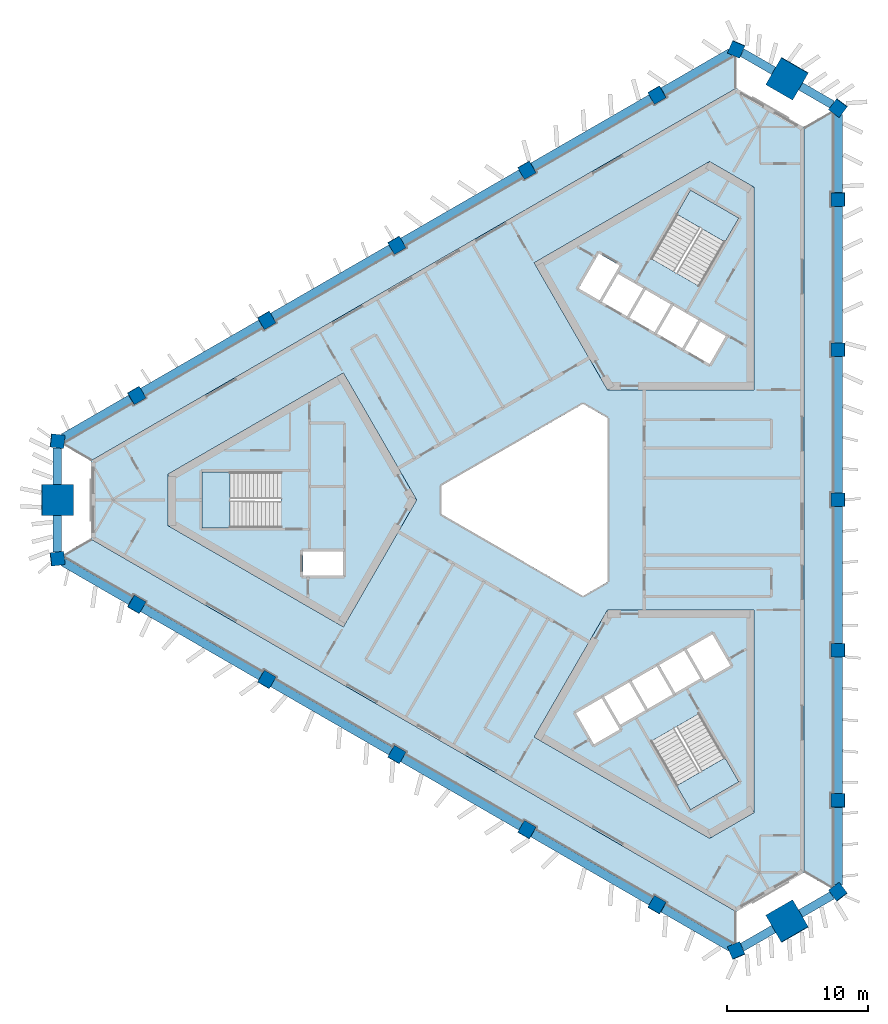
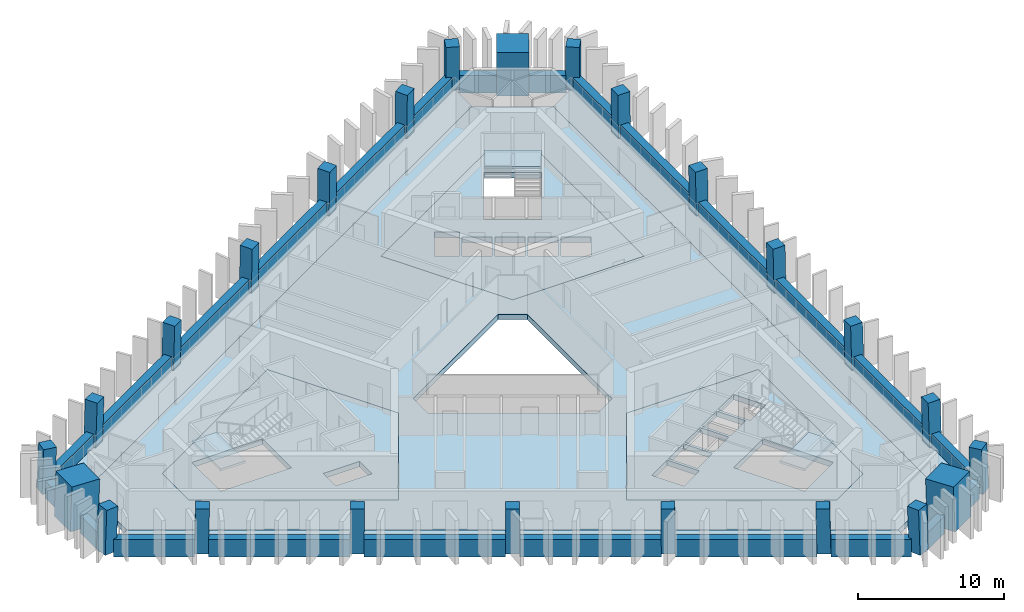
# One storey, part 1 of 9: 24 beams, 24 columns, 10 slabs, 3 elements without a shape of their own.
"""IFC4 building model written with IfcOpenShell, lengths in metres."""

from ifc_helpers import new_model, si_unit, direction, frame, origin, origin_2d, place, context, subcontext, project, spatial, polyline, rectangle, outline, extrude, material, layer, layer_set, material_profile, profile_set, type_object, element, aggregate, save


model = new_model("IFC4")

# Units and contexts
model_context = context("Model", 3, precision=1e-05, world=origin(), true_north=direction((0.0, 1.0)))
body_context = subcontext(model_context, "Body", "Model", "MODEL_VIEW")
ifc_project = project(units=[si_unit("LENGTHUNIT", "METRE"), si_unit("AREAUNIT", "SQUARE_METRE"), si_unit("VOLUMEUNIT", "CUBIC_METRE"), si_unit("PLANEANGLEUNIT", "RADIAN"), si_unit("MASSUNIT", "GRAM", prefix="KILO")], contexts=[model_context])

# Site, building, storey
site_placement = place(None, origin())
site = spatial("IfcSite", under=ifc_project, at=site_placement, CompositionType="ELEMENT")
building_placement = place(site_placement, origin())
building = spatial("IfcBuilding", under=site, at=building_placement, Name="Jabali Bay Hotel Tower and Convention Centre", CompositionType="ELEMENT")
storey_placement = place(building_placement, frame((0.0, 0.0, 189.60009765625)))
storey = spatial("IfcBuildingStorey", under=building, at=storey_placement, Name="L46", CompositionType="ELEMENT", Elevation=189.60009765625)

# Columns
ifc_material_1 = material(Name="Concrete C60", Category="concrete")
ifc_material_profile_1 = material_profile(ifc_material_1, rectangle(XDim=0.949951171875, YDim=0.949951171875, at=origin_2d()), Name="Frame column 950")
ifc_profile_set_1 = profile_set([ifc_material_profile_1], Name="Concrete C60")
column_type_1 = type_object("IfcColumnType", Name="Frame column 950", PredefinedType="COLUMN", material=ifc_profile_set_1)
column_1_placement = place(storey_placement, frame((83.011474609375, 108.67529296875, 0.0), z_axis=(-0.00837646992, -0.028097450282, 0.999570091609), x_axis=(0.86617163682, 0.499292783589, 0.021293469065)))
element("IfcColumn", 1, at=column_1_placement, inside=storey, type_object=column_type_1, Name="FC4 F1.1 L46", PredefinedType="COLUMN", context=body_context, shape_type="SweptSolid", body=[
    extrude(rectangle(XDim=0.949951171875, YDim=0.949951171875, at=origin_2d()), origin(), (0.0, 0.0, 1.0), 3.70166015625),
])
column_2_placement = place(storey_placement, frame((73.798828125, 103.3564453125, 0.0), z_axis=(0.000857578916, -0.022824792675, 0.999739112668), x_axis=(0.866054303765, 0.499836094294, 0.010668728649)))
element("IfcColumn", 2, at=column_2_placement, inside=storey, type_object=column_type_1, Name="FC4 F1.2 L46", PredefinedType="COLUMN", context=body_context, shape_type="SweptSolid", body=[
    extrude(rectangle(XDim=0.949951171875, YDim=0.949951171875, at=origin_2d()), origin(), (0.0, 0.0, 1.0), 3.700927734375),
])
column_3_placement = place(storey_placement, frame((64.586181640625, 98.037353515625, 0.0), z_axis=(0.010093620709, -0.017482414954, 0.999796221231), x_axis=(0.86601685016, 0.500014815019, 2.20911e-07)))
element("IfcColumn", 3, at=column_3_placement, inside=storey, type_object=column_type_1, Name="FC4 F1.3 L46", PredefinedType="COLUMN", context=body_context, shape_type="SweptSolid", body=[
    extrude(rectangle(XDim=0.949951171875, YDim=0.949951171875, at=origin_2d()), origin(), (0.0, 0.0, 1.0), 3.70068359375),
])
column_4_placement = place(storey_placement, frame((55.373291015625, 92.718505859375, 0.0), z_axis=(0.019328516974, -0.012138044789, 0.999739504221), x_axis=(-0.500205614953, 0.865671455024, 0.020181048691)))
element("IfcColumn", 4, at=column_4_placement, inside=storey, type_object=column_type_1, Name="FC4 F1.4 L46", PredefinedType="COLUMN", context=body_context, shape_type="SweptSolid", body=[
    extrude(rectangle(XDim=0.949951171875, YDim=0.949951171875, at=origin_2d()), origin(), (0.0, 0.0, 1.0), 3.700927734375),
])
for number, where, z_axis, x_axis, name in (
    (5, (46.16064453125, 87.3994140625, 0.0), (0.02855911485, -0.006793507689, 0.999569019734), (-0.500407643461, 0.865554709988, 0.020180049142), "FC4 F1.5 L46"),
    (6, (46.16064453125, 72.6005859375, 0.0), (0.02855911485, 0.006793507689, 0.999569019734), (-0.865318766308, 0.500768301983, 0.021319953197), "FC4 F2.1 L46"),
):
    element("IfcColumn", number, at=place(storey_placement, frame(where, z_axis=z_axis, x_axis=x_axis)), inside=storey, type_object=column_type_1, Name=name, PredefinedType="COLUMN", context=body_context, shape_type="SweptSolid", body=[
        extrude(rectangle(XDim=0.949951171875, YDim=0.949951171875, at=origin_2d()), origin(), (0.0, 0.0, 1.0), 3.70166015625),
    ])
column_5_placement = place(storey_placement, frame((55.373291015625, 67.281494140625, 0.0), z_axis=(0.019328516974, 0.012138044789, 0.999739504221), x_axis=(-0.865690909737, 0.500465383244, 0.010660627254)))
element("IfcColumn", 7, at=column_5_placement, inside=storey, type_object=column_type_1, Name="FC4 F2.2 L46", PredefinedType="COLUMN", context=body_context, shape_type="SweptSolid", body=[
    extrude(rectangle(XDim=0.949951171875, YDim=0.949951171875, at=origin_2d()), origin(), (0.0, 0.0, 1.0), 3.700927734375),
])
column_6_placement = place(storey_placement, frame((64.586181640625, 61.962646484375, 0.0), z_axis=(0.010093620709, 0.017482414954, 0.999796221231), x_axis=(-0.499912926478, -0.865840372083, 0.020187025823)))
element("IfcColumn", 8, at=column_6_placement, inside=storey, type_object=column_type_1, Name="FC4 F2.3 L46", PredefinedType="COLUMN", context=body_context, shape_type="SweptSolid", body=[
    extrude(rectangle(XDim=0.949951171875, YDim=0.949951171875, at=origin_2d()), origin(), (0.0, 0.0, 1.0), 3.70068359375),
])
column_7_placement = place(storey_placement, frame((73.798828125, 56.6435546875, 0.0), z_axis=(0.000857578916, 0.022824792675, 0.999739112668), x_axis=(-0.499949204908, -0.865819211891, 0.020196158824)))
element("IfcColumn", 9, at=column_7_placement, inside=storey, type_object=column_type_1, Name="FC4 F2.4 L46", PredefinedType="COLUMN", context=body_context, shape_type="SweptSolid", body=[
    extrude(rectangle(XDim=0.949951171875, YDim=0.949951171875, at=origin_2d()), origin(), (0.0, 0.0, 1.0), 3.700927734375),
])
for number, where, z_axis, x_axis, name in (
    (10, (83.011474609375, 51.32470703125, 0.0), (-0.00837646992, 0.028097450282, 0.999570091609), (-0.49967642562, -0.865977626468, 0.020154903518), "FC4 F2.5 L46"),
    (11, (95.827880859375, 58.72412109375, 0.0), (-0.020182659751, 0.021303918626, 0.999569308901), (0.000221932948, -0.999772833181, 0.021312737486), "FC4 F0.1 L46"),
):
    element("IfcColumn", number, at=place(storey_placement, frame(where, z_axis=z_axis, x_axis=x_axis)), inside=storey, type_object=column_type_1, Name=name, PredefinedType="COLUMN", context=body_context, shape_type="SweptSolid", body=[
        extrude(rectangle(XDim=0.949951171875, YDim=0.949951171875, at=origin_2d()), origin(), (0.0, 0.0, 1.0), 3.70166015625),
    ])
column_8_placement = place(storey_placement, frame((95.827880859375, 69.362060546875, 0.0), z_axis=(-0.020186102726, 0.010620792611, 0.999739826165), x_axis=(0.001543238363, -0.999942052594, 0.01065410105)))
element("IfcColumn", 12, at=column_8_placement, inside=storey, type_object=column_type_1, Name="FC4 F0.2 L46", PredefinedType="COLUMN", context=body_context, shape_type="SweptSolid", body=[
    extrude(rectangle(XDim=0.949951171875, YDim=0.949951171875, at=origin_2d()), origin(), (0.0, 0.0, 1.0), 3.700927734375),
])
column_9_placement = place(storey_placement, frame((95.827880859375, 80.0, 0.0), z_axis=(-0.020187241331, 0.0, 0.99979621688), x_axis=(0.0, -1.0, 0.0)))
element("IfcColumn", 13, at=column_9_placement, inside=storey, type_object=column_type_1, Name="FC4 F0.3 L46", PredefinedType="COLUMN", context=body_context, shape_type="SweptSolid", body=[
    extrude(rectangle(XDim=0.949951171875, YDim=0.949951171875, at=origin_2d()), origin(), (0.0, 0.0, 1.0), 3.70068359375),
])
column_10_placement = place(storey_placement, frame((95.827880859375, 90.637939453125, 0.0), z_axis=(-0.020186102726, -0.010620792611, 0.999739826165), x_axis=(0.999795048834, -0.001757901631, 0.020168542579)))
element("IfcColumn", 14, at=column_10_placement, inside=storey, type_object=column_type_1, Name="FC4 F0.4 L46", PredefinedType="COLUMN", context=body_context, shape_type="SweptSolid", body=[
    extrude(rectangle(XDim=0.949951171875, YDim=0.949951171875, at=origin_2d()), origin(), (0.0, 0.0, 1.0), 3.700927734375),
])
column_11_placement = place(storey_placement, frame((95.827880859375, 101.27587890625, 0.0), z_axis=(-0.020182659751, -0.021303918626, 0.999569308901), x_axis=(0.999796284746, -0.000651985093, 0.020173346879)))
element("IfcColumn", 15, at=column_11_placement, inside=storey, type_object=column_type_1, Name="FC4 F0.5 L46", PredefinedType="COLUMN", context=body_context, shape_type="SweptSolid", body=[
    extrude(rectangle(XDim=0.949951171875, YDim=0.949951171875, at=origin_2d()), origin(), (0.0, 0.0, 1.0), 3.70166015625),
])
for number, where, z_axis, x_axis, name in (
    (16, (95.827880859375, 52.2470703125, 0.0), (-0.020178741915, 0.029015184452, 0.999375273581), (-0.799926184555, -0.600097061542, 0.001271217064), "FC4 V0 L46"),
    (17, (95.827880859375, 107.7529296875, 0.0), (-0.020178741915, -0.029015184452, 0.999375273581), (0.599759049651, 0.799400797973, 0.035319209522), "FC4 V1 L46"),
    (18, (88.620849609375, 111.913818359375, 0.0), (-0.015035173594, -0.031916772016, 0.999377437818), (0.919382662247, -0.393362313861, 0.001269012675), "FC4 V2 L46"),
    (19, (40.55126953125, 84.160888671875, 0.0), (0.03521388716, -0.002967462401, 0.999375393092), (-0.992180644739, 0.119709483397, 0.035315829168), "FC4 V3 L46"),
    (20, (40.55126953125, 75.839111328125, 0.0), (0.03521388716, 0.002967462401, 0.999375393092), (-0.119739510422, 0.992804529478, 0.001271177482), "FC4 V4 L46"),
    (21, (88.620849609375, 48.086181640625, 0.0), (-0.015035173594, 0.031916772016, 0.999377437818), (0.393076918572, -0.918829369196, 0.035257997501), "FC4 V5 L46"),
):
    element("IfcColumn", number, at=place(storey_placement, frame(where, z_axis=z_axis, x_axis=x_axis)), inside=storey, type_object=column_type_1, Name=name, PredefinedType="COLUMN", context=body_context, shape_type="SweptSolid", body=[
        extrude(rectangle(XDim=0.949951171875, YDim=0.949951171875, at=origin_2d()), origin(), (0.0, 0.0, 1.0), 3.7021484375),
    ])
ifc_material_2 = material(Name="Concrete C70", Category="concrete")
ifc_material_profile_2 = material_profile(ifc_material_2, rectangle(XDim=2.199951171875, YDim=2.199951171875, at=origin_2d()), Name="Mega column 2200")
ifc_profile_set_2 = profile_set([ifc_material_profile_2], Name="Concrete C70")
column_type_2 = type_object("IfcColumnType", Name="Mega column 2200", PredefinedType="COLUMN", material=ifc_profile_set_2)
for number, where, z_axis, x_axis, name in (
    (22, (92.224365234375, 109.83349609375, 0.0), (-0.017607001884, -0.030531992032, 0.999378702468), (0.866279052578, -0.499560409824, 2.461e-09), "MC4 M1 L46"),
    (23, (40.55126953125, 80.0, 0.0), (0.035214042205, 0.0, 0.999379793288), (0.0, 1.0, 0.0), "MC4 M0 L46"),
    (24, (92.224365234375, 50.16650390625, 0.0), (-0.017607001884, 0.030531992032, 0.999378702468), (0.4992500341, -0.865740835585, 0.035244986208), "MC4 M2 L46"),
):
    element("IfcColumn", number, at=place(storey_placement, frame(where, z_axis=z_axis, x_axis=x_axis)), inside=storey, type_object=column_type_2, Name=name, PredefinedType="COLUMN", context=body_context, shape_type="SweptSolid", body=[
        extrude(rectangle(XDim=2.199951171875, YDim=2.199951171875, at=origin_2d()), origin(), (0.0, 0.0, 1.0), 3.7021484375),
    ])

# Beams
ifc_material_profile_3 = material_profile(ifc_material_1, rectangle(XDim=0.60009765625, YDim=1.449951171875, at=origin_2d()), Name="Spandrel 600x1450")
ifc_profile_set_3 = profile_set([ifc_material_profile_3], Name="Concrete C60")
beam_type = type_object("IfcBeamType", Name="Spandrel 600x1450", PredefinedType="SPANDREL", material=ifc_profile_set_3)
beam_1_placement = place(storey_placement, frame((91.26513671875, 110.3720703125, 0.375), z_axis=(-0.866055039205, 0.499948666432, 0.0), x_axis=(-0.499948666432, -0.866055039205, 0.0)))
element("IfcBeam", 25, at=beam_1_placement, inside=storey, type_object=beam_type, Name="Spandrel M1-V2 L46", PredefinedType="SPANDREL", context=body_context, shape_type="SweptSolid", body=[
    extrude(rectangle(XDim=0.60009765625, YDim=1.449951171875, at=origin_2d()), origin(), (0.0, 0.0, 1.0), 2.584716796875),
])
beam_2_placement = place(storey_placement, frame((88.203857421875, 111.664306640625, 0.375), z_axis=(-0.866028820302, -0.499994082372, 0.0), x_axis=(0.499994082372, -0.866028820302, 0.0)))
element("IfcBeam", 26, at=beam_2_placement, inside=storey, type_object=beam_type, Name="Spandrel V2-F1.1 L46", PredefinedType="SPANDREL", context=body_context, shape_type="SweptSolid", body=[
    extrude(rectangle(XDim=0.60009765625, YDim=1.449951171875, at=origin_2d()), origin(), (0.0, 0.0, 1.0), 5.52392578125),
])
beam_3_placement = place(storey_placement, frame((82.59716796875, 108.42724609375, 0.375), z_axis=(-0.866037809602, -0.499978511878, 0.0), x_axis=(0.499978511878, -0.866037809602, 0.0)))
element("IfcBeam", 27, at=beam_3_placement, inside=storey, type_object=beam_type, Name="Spandrel F1.1-F1.2 L46", PredefinedType="SPANDREL", context=body_context, shape_type="SweptSolid", body=[
    extrude(rectangle(XDim=0.60009765625, YDim=1.449951171875, at=origin_2d()), origin(), (0.0, 0.0, 1.0), 9.68408203125),
])
for number, where, z_axis, x_axis, name in (
    (28, (73.3876953125, 103.1103515625, 0.375), (-0.866020590559, -0.500008336658, 0.0), (0.500008336658, -0.866020590559, 0.0), "Spandrel F1.2-F1.3 L46"),
    (29, (64.178466796875, 97.79345703125, 0.375), (-0.866020590559, -0.500008336658, 0.0), (0.500008336658, -0.866020590559, 0.0), "Spandrel F1.3-F1.4 L46"),
    (30, (54.96923828125, 92.476318359375, 0.375), (-0.866031507264, -0.499989428315, 0.0), (0.499989428315, -0.866031507264, 0.0), "Spandrel F1.4-F1.5 L46"),
):
    element("IfcBeam", number, at=place(storey_placement, frame(where, z_axis=z_axis, x_axis=x_axis)), inside=storey, type_object=beam_type, Name=name, PredefinedType="SPANDREL", context=body_context, shape_type="SweptSolid", body=[
        extrude(rectangle(XDim=0.60009765625, YDim=1.449951171875, at=origin_2d()), origin(), (0.0, 0.0, 1.0), 9.683837890625),
    ])
beam_4_placement = place(storey_placement, frame((45.760009765625, 87.159423828125, 0.375), z_axis=(-0.866039868511, -0.499974945523, 0.0), x_axis=(0.499974945523, -0.866039868511, 0.0)))
element("IfcBeam", 31, at=beam_4_placement, inside=storey, type_object=beam_type, Name="Spandrel F1.5-V3 L46", PredefinedType="SPANDREL", context=body_context, shape_type="SweptSolid", body=[
    extrude(rectangle(XDim=0.60009765625, YDim=1.449951171875, at=origin_2d()), origin(), (0.0, 0.0, 1.0), 5.524169921875),
])
for number, where, z_axis, x_axis, name in (
    (32, (40.564453125, 83.684814453125, 0.375), (0.0, -1.0, 0.0), (1.0, 0.0, 0.0), "Spandrel V3-M0 L46"),
    (33, (40.564453125, 78.89990234375, 0.375), (0.0, -1.0, 0.0), (1.0, 0.0, 0.0), "Spandrel M0-V4 L46"),
):
    element("IfcBeam", number, at=place(storey_placement, frame(where, z_axis=z_axis, x_axis=x_axis)), inside=storey, type_object=beam_type, Name=name, PredefinedType="SPANDREL", context=body_context, shape_type="SweptSolid", body=[
        extrude(rectangle(XDim=0.60009765625, YDim=1.449951171875, at=origin_2d()), origin(), (0.0, 0.0, 1.0), 2.584716796875),
    ])
beam_5_placement = place(storey_placement, frame((40.975830078125, 75.6025390625, 0.375), z_axis=(0.866039868511, -0.499974945523, 0.0), x_axis=(0.499974945523, 0.866039868511, 0.0)))
element("IfcBeam", 34, at=beam_5_placement, inside=storey, type_object=beam_type, Name="Spandrel V4-F2.1 L46", PredefinedType="SPANDREL", context=body_context, shape_type="SweptSolid", body=[
    extrude(rectangle(XDim=0.60009765625, YDim=1.449951171875, at=origin_2d()), origin(), (0.0, 0.0, 1.0), 5.524169921875),
])
for number, where, z_axis, x_axis, name in (
    (35, (46.582763671875, 72.365478515625, 0.375), (0.866031507264, -0.499989428315, 0.0), (0.499989428315, 0.866031507264, 0.0), "Spandrel F2.1-F2.2 L46"),
    (36, (55.7919921875, 67.048583984375, 0.375), (0.866020590559, -0.500008336658, 0.0), (0.500008336658, 0.866020590559, 0.0), "Spandrel F2.2-F2.3 L46"),
    (37, (65.001220703125, 61.731689453125, 0.375), (0.866020590559, -0.500008336658, 0.0), (0.500008336658, 0.866020590559, 0.0), "Spandrel F2.3-F2.4 L46"),
):
    element("IfcBeam", number, at=place(storey_placement, frame(where, z_axis=z_axis, x_axis=x_axis)), inside=storey, type_object=beam_type, Name=name, PredefinedType="SPANDREL", context=body_context, shape_type="SweptSolid", body=[
        extrude(rectangle(XDim=0.60009765625, YDim=1.449951171875, at=origin_2d()), origin(), (0.0, 0.0, 1.0), 9.683837890625),
    ])
beam_6_placement = place(storey_placement, frame((74.21044921875, 56.41455078125, 0.375), z_axis=(0.866037809602, -0.499978511878, 0.0), x_axis=(0.499978511878, 0.866037809602, 0.0)))
element("IfcBeam", 38, at=beam_6_placement, inside=storey, type_object=beam_type, Name="Spandrel F2.4-F2.5 L46", PredefinedType="SPANDREL", context=body_context, shape_type="SweptSolid", body=[
    extrude(rectangle(XDim=0.60009765625, YDim=1.449951171875, at=origin_2d()), origin(), (0.0, 0.0, 1.0), 9.68408203125),
])
beam_7_placement = place(storey_placement, frame((83.419921875, 51.09765625, 0.375), z_axis=(0.866028820302, -0.499994082372, 0.0), x_axis=(0.499994082372, 0.866028820302, 0.0)))
element("IfcBeam", 39, at=beam_7_placement, inside=storey, type_object=beam_type, Name="Spandrel F2.5-V5 L46", PredefinedType="SPANDREL", context=body_context, shape_type="SweptSolid", body=[
    extrude(rectangle(XDim=0.60009765625, YDim=1.449951171875, at=origin_2d()), origin(), (0.0, 0.0, 1.0), 5.52392578125),
])
beam_8_placement = place(storey_placement, frame((89.026611328125, 48.335693359375, 0.375), z_axis=(0.866055039205, 0.499948666432, 0.0), x_axis=(-0.499948666432, 0.866055039205, 0.0)))
element("IfcBeam", 40, at=beam_8_placement, inside=storey, type_object=beam_type, Name="Spandrel V5-M2 L46", PredefinedType="SPANDREL", context=body_context, shape_type="SweptSolid", body=[
    extrude(rectangle(XDim=0.60009765625, YDim=1.449951171875, at=origin_2d()), origin(), (0.0, 0.0, 1.0), 2.584716796875),
])
beam_9_placement = place(storey_placement, frame((93.17041015625, 50.72802734375, 0.375), z_axis=(0.866014140959, 0.500019507279, 0.0), x_axis=(-0.500019507279, 0.866014140959, 0.0)))
element("IfcBeam", 41, at=beam_9_placement, inside=storey, type_object=beam_type, Name="Spandrel M2-V0 L46", PredefinedType="SPANDREL", context=body_context, shape_type="SweptSolid", body=[
    extrude(rectangle(XDim=0.60009765625, YDim=1.449951171875, at=origin_2d()), origin(), (0.0, 0.0, 1.0), 2.5849609375),
])
beam_10_placement = place(storey_placement, frame((95.8203125, 52.73291015625, 0.375), z_axis=(0.0, 1.0, 0.0), x_axis=(-1.0, 0.0, 0.0)))
element("IfcBeam", 42, at=beam_10_placement, inside=storey, type_object=beam_type, Name="Spandrel V0-F0.1 L46", PredefinedType="SPANDREL", context=body_context, shape_type="SweptSolid", body=[
    extrude(rectangle(XDim=0.60009765625, YDim=1.449951171875, at=origin_2d()), origin(), (0.0, 0.0, 1.0), 5.524169921875),
])
beam_11_placement = place(storey_placement, frame((95.8203125, 59.20703125, 0.375), z_axis=(0.0, 1.0, 0.0), x_axis=(-1.0, 0.0, 0.0)))
element("IfcBeam", 43, at=beam_11_placement, inside=storey, type_object=beam_type, Name="Spandrel F0.1-F0.2 L46", PredefinedType="SPANDREL", context=body_context, shape_type="SweptSolid", body=[
    extrude(rectangle(XDim=0.60009765625, YDim=1.449951171875, at=origin_2d()), origin(), (0.0, 0.0, 1.0), 9.68408203125),
])
for number, where, z_axis, x_axis, name in (
    (44, (95.8203125, 69.841064453125, 0.375), (0.0, 1.0, 0.0), (-1.0, 0.0, 0.0), "Spandrel F0.2-F0.3 L46"),
    (45, (95.8203125, 80.47509765625, 0.375), (0.0, 1.0, 0.0), (-1.0, 0.0, 0.0), "Spandrel F0.3-F0.4 L46"),
):
    element("IfcBeam", number, at=place(storey_placement, frame(where, z_axis=z_axis, x_axis=x_axis)), inside=storey, type_object=beam_type, Name=name, PredefinedType="SPANDREL", context=body_context, shape_type="SweptSolid", body=[
        extrude(rectangle(XDim=0.60009765625, YDim=1.449951171875, at=origin_2d()), origin(), (0.0, 0.0, 1.0), 9.683837890625),
    ])
beam_12_placement = place(storey_placement, frame((95.8203125, 91.10888671875, 0.375), z_axis=(0.0, 1.0, 0.0), x_axis=(-1.0, 0.0, 0.0)))
element("IfcBeam", 46, at=beam_12_placement, inside=storey, type_object=beam_type, Name="Spandrel F0.4-F0.5 L46", PredefinedType="SPANDREL", context=body_context, shape_type="SweptSolid", body=[
    extrude(rectangle(XDim=0.60009765625, YDim=1.449951171875, at=origin_2d()), origin(), (0.0, 0.0, 1.0), 9.68408203125),
])
beam_13_placement = place(storey_placement, frame((95.8203125, 101.742919921875, 0.375), z_axis=(0.0, 1.0, 0.0), x_axis=(-1.0, 0.0, 0.0)))
element("IfcBeam", 47, at=beam_13_placement, inside=storey, type_object=beam_type, Name="Spandrel F0.5-V1 L46", PredefinedType="SPANDREL", context=body_context, shape_type="SweptSolid", body=[
    extrude(rectangle(XDim=0.60009765625, YDim=1.449951171875, at=origin_2d()), origin(), (0.0, 0.0, 1.0), 5.524169921875),
])
beam_14_placement = place(storey_placement, frame((95.408935546875, 107.9794921875, 0.375), z_axis=(-0.866014140959, 0.500019507279, 0.0), x_axis=(-0.500019507279, -0.866014140959, 0.0)))
element("IfcBeam", 48, at=beam_14_placement, inside=storey, type_object=beam_type, Name="Spandrel V1-M1 L46", PredefinedType="SPANDREL", context=body_context, shape_type="SweptSolid", body=[
    extrude(rectangle(XDim=0.60009765625, YDim=1.449951171875, at=origin_2d()), origin(), (0.0, 0.0, 1.0), 2.5849609375),
])

# Slabs
ifc_material_3 = material(Name="Concrete C40", Category="concrete")
ifc_layer_1 = layer(ifc_material_3, 0.449951171875)
ifc_layer_set_1 = layer_set([ifc_layer_1], Name="Concrete C40")
slab_type_1 = type_object("IfcSlabType", Name="Core floor slab 450", PredefinedType="FLOOR", material=ifc_layer_set_1)
slab_1_placement = place(storey_placement, frame((0.0, 0.0, -0.4501953125)))
element("IfcSlab", 49, at=slab_1_placement, inside=storey, type_object=slab_type_1, Name="Core floor slab 1 L46", PredefinedType="FLOOR", context=body_context, shape_type="SweptSolid", body=[
    extrude(outline(polyline([(66.0, 80.0), (60.81005859375, 88.9892578125), (48.39697265625, 81.82275390625), (48.39697265625, 78.17724609375), (60.81005859375, 71.0107421875), (66.0, 80.0)]), holes=[polyline([(60.800048828125, 76.35009765625), (57.949951171875, 76.35009765625), (57.949951171875, 74.64990234375), (60.800048828125, 74.64990234375), (60.800048828125, 76.35009765625)]), polyline([(50.820068359375, 81.97509765625), (50.820068359375, 78.02490234375), (56.409912109375, 78.02490234375), (56.409912109375, 81.97509765625), (50.820068359375, 81.97509765625)])]), origin(), (0.0, 0.0, 1.0), 0.4501953125),
])
slab_2_placement = place(storey_placement, frame((0.0, 0.0, -0.4501953125)))
element("IfcSlab", 50, at=slab_2_placement, inside=storey, type_object=slab_type_1, Name="Core floor slab 2 L46", PredefinedType="FLOOR", context=body_context, shape_type="SweptSolid", body=[
    extrude(outline(polyline([(79.5, 87.794189453125), (89.8798828125, 87.794189453125), (89.8798828125, 102.127685546875), (86.72314453125, 103.9501953125), (74.31005859375, 96.78369140625), (79.5, 87.794189453125)]), holes=[polyline([(84.957763671875, 90.6474609375), (86.733154296875, 89.62255859375), (87.873291015625, 91.59716796875), (86.097900390625, 92.6220703125), (84.957763671875, 90.6474609375)]), polyline([(84.1494140625, 93.7470703125), (83.00927734375, 91.7724609375), (84.78466796875, 90.74755859375), (85.924560546875, 92.72216796875), (84.1494140625, 93.7470703125)]), polyline([(82.20068359375, 94.8720703125), (81.060791015625, 92.8974609375), (82.836181640625, 91.87255859375), (83.97607421875, 93.84716796875), (82.20068359375, 94.8720703125)]), polyline([(79.1123046875, 94.0224609375), (80.887451171875, 92.99755859375), (82.027587890625, 94.97216796875), (80.252197265625, 95.9970703125), (79.1123046875, 94.0224609375)]), polyline([(78.891845703125, 97.440673828125), (77.466796875, 94.97265625), (78.93896484375, 94.12255859375), (80.364013671875, 96.5908203125), (78.891845703125, 97.440673828125)]), polyline([(82.584716796875, 97.0869140625), (86.00537109375, 95.11181640625), (88.80029296875, 99.952880859375), (85.379638671875, 101.927978515625), (82.584716796875, 97.0869140625)])]), origin(), (0.0, 0.0, 1.0), 0.4501953125),
])
slab_3_placement = place(storey_placement, frame((0.0, 0.0, -0.4501953125)))
element("IfcSlab", 51, at=slab_3_placement, inside=storey, type_object=slab_type_1, Name="Core floor slab 3 L46", PredefinedType="FLOOR", context=body_context, shape_type="SweptSolid", body=[
    extrude(outline(polyline([(79.5, 72.205810546875), (74.31005859375, 63.21630859375), (86.72314453125, 56.0498046875), (89.8798828125, 57.872314453125), (89.8798828125, 72.205810546875), (79.5, 72.205810546875)]), holes=[polyline([(82.584716796875, 62.9130859375), (85.379638671875, 58.072021484375), (88.80029296875, 60.047119140625), (86.00537109375, 64.88818359375), (82.584716796875, 62.9130859375)]), polyline([(80.365478515625, 63.756591796875), (79.090576171875, 65.96484375), (77.27197265625, 64.9150390625), (78.546875, 62.70654296875), (80.365478515625, 63.756591796875)]), polyline([(82.17919921875, 65.115478515625), (81.0390625, 67.08984375), (79.263671875, 66.06494140625), (80.40380859375, 64.09033203125), (82.17919921875, 65.115478515625)]), polyline([(82.98779296875, 68.21484375), (81.21240234375, 67.18994140625), (82.352294921875, 65.21533203125), (84.127685546875, 66.240478515625), (82.98779296875, 68.21484375)]), polyline([(86.076171875, 67.365478515625), (84.936279296875, 69.33984375), (83.160888671875, 68.31494140625), (84.30078125, 66.34033203125), (86.076171875, 67.365478515625)]), polyline([(88.203125, 68.281494140625), (86.927978515625, 70.489990234375), (85.109375, 69.43994140625), (86.384521484375, 67.231689453125), (88.203125, 68.281494140625)])]), origin(), (0.0, 0.0, 1.0), 0.4501953125),
])
ifc_layer_2 = layer(ifc_material_3, 0.199951171875)
ifc_layer_set_2 = layer_set([ifc_layer_2], Name="Concrete C40")
slab_type_2 = type_object("IfcSlabType", Name="Loggia slab 200", PredefinedType="FLOOR", material=ifc_layer_set_2)
slab_4_placement = place(storey_placement, frame((0.0, 0.0, -0.2001953125)))
element("IfcSlab", 52, at=slab_4_placement, inside=storey, type_object=slab_type_2, Name="Loggia slab east face L46", PredefinedType="FLOOR", context=body_context, shape_type="SweptSolid", body=[
    extrude(outline(polyline([(93.427734375, 106.3671875), (95.380615234375, 107.49462890625), (95.52783203125, 107.38427734375), (95.52783203125, 101.7509765625), (95.352783203125, 101.7509765625), (95.352783203125, 100.801025390625), (95.52783203125, 100.801025390625), (95.52783203125, 91.113037109375), (95.352783203125, 91.113037109375), (95.352783203125, 90.1630859375), (95.52783203125, 90.1630859375), (95.52783203125, 80.47509765625), (95.352783203125, 80.47509765625), (95.352783203125, 79.52490234375), (95.52783203125, 79.52490234375), (95.52783203125, 69.8369140625), (95.352783203125, 69.8369140625), (95.352783203125, 68.886962890625), (95.52783203125, 68.886962890625), (95.52783203125, 59.198974609375), (95.352783203125, 59.198974609375), (95.352783203125, 58.2490234375), (95.52783203125, 58.2490234375), (95.52783203125, 52.61572265625), (95.380615234375, 52.50537109375), (93.427734375, 53.6328125), (93.427734375, 106.3671875)])), origin(), (0.0, 0.0, 1.0), 0.2001953125),
])
slab_5_placement = place(storey_placement, frame((0.0, 0.0, -0.2001953125)))
element("IfcSlab", 53, at=slab_5_placement, inside=storey, type_object=slab_type_2, Name="Loggia slab north-west face L46", PredefinedType="FLOOR", context=body_context, shape_type="SweptSolid", body=[
    extrude(outline(polyline([(42.951416015625, 82.775390625), (40.99853515625, 83.90283203125), (41.020751953125, 84.08544921875), (45.899169921875, 86.902099609375), (45.98681640625, 86.75048828125), (46.809326171875, 87.2255859375), (46.721923828125, 87.377197265625), (55.112060546875, 92.22119140625), (55.199462890625, 92.069580078125), (56.022216796875, 92.544677734375), (55.9345703125, 92.696044921875), (64.32470703125, 97.5400390625), (64.412109375, 97.388671875), (65.23486328125, 97.863525390625), (65.1474609375, 98.01513671875), (73.537353515625, 102.859130859375), (73.625, 102.70751953125), (74.44775390625, 103.1826171875), (74.360107421875, 103.334228515625), (82.750244140625, 108.17822265625), (82.837646484375, 108.026611328125), (83.660400390625, 108.50146484375), (83.572998046875, 108.653076171875), (88.451416015625, 111.4697265625), (88.620849609375, 111.3974609375), (88.620849609375, 109.142578125), (42.951416015625, 82.775390625)])), origin(), (0.0, 0.0, 1.0), 0.2001953125),
])
slab_6_placement = place(storey_placement, frame((0.0, 0.0, -0.2001953125)))
element("IfcSlab", 54, at=slab_6_placement, inside=storey, type_object=slab_type_2, Name="Loggia slab south-west face L46", PredefinedType="FLOOR", context=body_context, shape_type="SweptSolid", body=[
    extrude(outline(polyline([(88.620849609375, 50.857421875), (88.620849609375, 48.6025390625), (88.451416015625, 48.5302734375), (83.572998046875, 51.346923828125), (83.660400390625, 51.49853515625), (82.837646484375, 51.973388671875), (82.750244140625, 51.82177734375), (74.360107421875, 56.665771484375), (74.44775390625, 56.8173828125), (73.625, 57.29248046875), (73.537353515625, 57.140869140625), (65.1474609375, 61.98486328125), (65.23486328125, 62.136474609375), (64.412109375, 62.611328125), (64.32470703125, 62.4599609375), (55.9345703125, 67.303955078125), (56.022216796875, 67.455322265625), (55.199462890625, 67.930419921875), (55.112060546875, 67.77880859375), (46.721923828125, 72.622802734375), (46.809326171875, 72.7744140625), (45.98681640625, 73.24951171875), (45.899169921875, 73.097900390625), (41.020751953125, 75.91455078125), (40.99853515625, 76.09716796875), (42.951416015625, 77.224609375), (88.620849609375, 50.857421875)])), origin(), (0.0, 0.0, 1.0), 0.2001953125),
])
ifc_layer_3 = layer(ifc_material_3, 0.449951171875)
ifc_layer_set_3 = layer_set([ifc_layer_3], Name="Concrete C40")
slab_type_3 = type_object("IfcSlabType", Name="Post-tensioned flat slab 450", PredefinedType="FLOOR", material=ifc_layer_set_3)
slab_7_placement = place(storey_placement, frame((0.0, 0.0, -0.4501953125)))
element("IfcSlab", 55, at=slab_7_placement, inside=storey, type_object=slab_type_3, Name="Floor slab L46", PredefinedType="FLOOR", context=body_context, shape_type="SweptSolid", body=[
    extrude(outline(polyline([(88.620849609375, 109.142578125), (93.427734375, 106.3671875), (93.427734375, 53.6328125), (88.620849609375, 50.857421875), (42.951416015625, 77.224609375), (42.951416015625, 82.775390625), (88.620849609375, 109.142578125)]), holes=[polyline([(67.73193359375, 79.0), (77.76806640625, 73.205810546875), (79.5, 74.205810546875), (79.5, 85.794189453125), (77.76806640625, 86.794189453125), (67.73193359375, 81.0), (67.73193359375, 79.0)]), polyline([(48.39697265625, 78.17724609375), (60.81005859375, 71.0107421875), (66.0, 80.0), (60.81005859375, 88.9892578125), (48.39697265625, 81.82275390625), (48.39697265625, 78.17724609375)]), polyline([(89.8798828125, 102.127685546875), (86.72314453125, 103.9501953125), (74.31005859375, 96.78369140625), (79.5, 87.794189453125), (89.8798828125, 87.794189453125), (89.8798828125, 102.127685546875)]), polyline([(74.31005859375, 63.21630859375), (86.72314453125, 56.0498046875), (89.8798828125, 57.872314453125), (89.8798828125, 72.205810546875), (79.5, 72.205810546875), (74.31005859375, 63.21630859375)])]), origin(), (0.0, 0.0, 1.0), 0.4501953125),
])

# Stair, slab
stair_type = type_object("IfcStairType", Name="Exit stair 1900", PredefinedType="HALF_TURN_STAIR", material=ifc_material_3)
stair_1_placement = place(storey_placement, origin())
stair_1 = element("IfcStair", 56, at=stair_1_placement, inside=storey, type_object=stair_type, Name="L46 Exit Stair 1", PredefinedType="HALF_TURN_STAIR")
ifc_layer_4 = layer(ifc_material_3, 0.199951171875)
ifc_layer_set_4 = layer_set([ifc_layer_4], Name="Concrete C40")
slab_type_4 = type_object("IfcSlabType", Name="Stair landing 200", PredefinedType="LANDING", material=ifc_layer_set_4)
slab_8_placement = place(storey_placement, frame((0.0, 0.0, 1.64990234375)))
slab_8 = element("IfcSlab", 57, at=slab_8_placement, type_object=slab_type_4, Name="ST1 landing 1", PredefinedType="LANDING", context=body_context, shape_type="SweptSolid", body=[
    extrude(outline(polyline([(52.782958984375, 81.97509765625), (50.820068359375, 81.97509765625), (50.820068359375, 78.02490234375), (52.782958984375, 78.02490234375), (52.782958984375, 81.97509765625)])), origin(), (0.0, 0.0, 1.0), 0.199951171875),
])
aggregate(stair_1, [slab_8])

stair_2_placement = place(storey_placement, origin())
stair_2 = element("IfcStair", 58, at=stair_2_placement, inside=storey, type_object=stair_type, Name="L46 Exit Stair 2", PredefinedType="HALF_TURN_STAIR")
slab_9_placement = place(storey_placement, frame((0.0, 0.0, 1.64990234375)))
slab_9 = element("IfcSlab", 59, at=slab_9_placement, type_object=slab_type_4, Name="ST2 landing 1", PredefinedType="LANDING", context=body_context, shape_type="SweptSolid", body=[
    extrude(outline(polyline([(87.81884765625, 98.2529296875), (88.80029296875, 99.952880859375), (85.379638671875, 101.927978515625), (84.398193359375, 100.22802734375), (87.81884765625, 98.2529296875)])), origin(), (0.0, 0.0, 1.0), 0.199951171875),
])
aggregate(stair_2, [slab_9])

stair_3_placement = place(storey_placement, origin())
stair_3 = element("IfcStair", 60, at=stair_3_placement, inside=storey, type_object=stair_type, Name="L46 Exit Stair 3", PredefinedType="HALF_TURN_STAIR")
slab_10_placement = place(storey_placement, frame((0.0, 0.0, 1.64990234375)))
slab_10 = element("IfcSlab", 61, at=slab_10_placement, type_object=slab_type_4, Name="ST3 landing 1", PredefinedType="LANDING", context=body_context, shape_type="SweptSolid", body=[
    extrude(outline(polyline([(84.398193359375, 59.77197265625), (85.379638671875, 58.072021484375), (88.80029296875, 60.047119140625), (87.81884765625, 61.7470703125), (84.398193359375, 59.77197265625)])), origin(), (0.0, 0.0, 1.0), 0.199951171875),
])
aggregate(stair_3, [slab_10])

save(model, "model.ifc")
